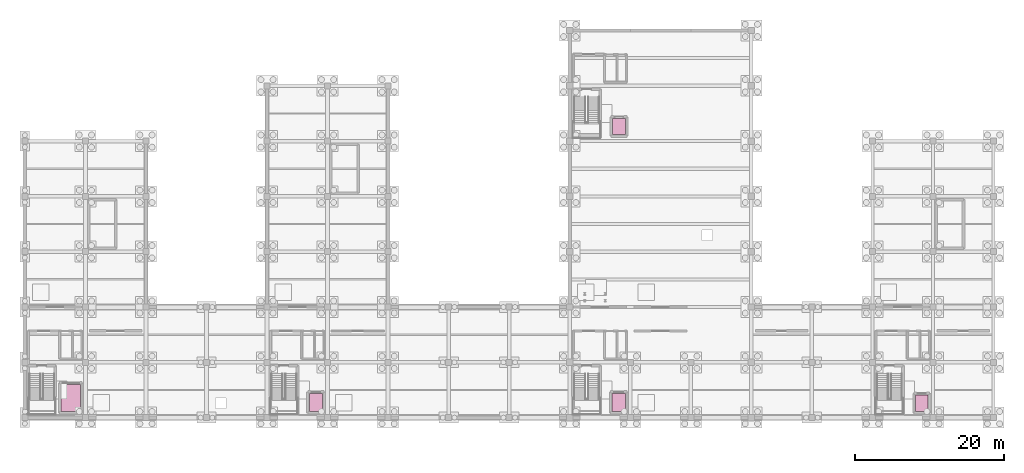
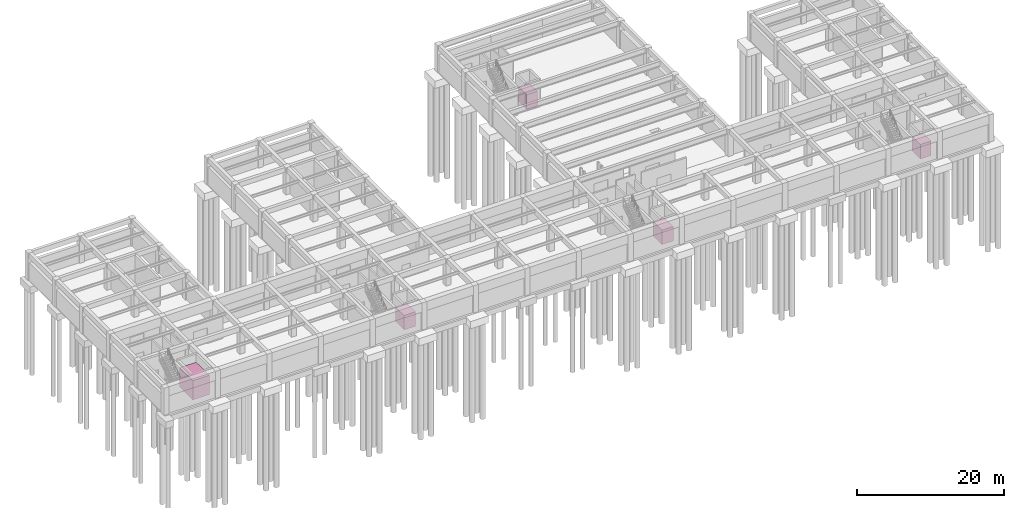
# One storey, part 14 of 14: 5 transport elements.
"""IFC4 building model written with IfcOpenShell, lengths in metres."""

from ifc_helpers import new_model, si_unit, direction, frame, origin, origin_2d, place, context, subcontext, project, spatial, rectangle, extrude, material, type_object, element, save


model = new_model("IFC4")

# Units and contexts
model_context = context("Model", 3, precision=1e-05, world=origin(), true_north=direction((0.0, 1.0)))
body_context = subcontext(model_context, "Body", "Model", "MODEL_VIEW")
ifc_project = project(units=[si_unit("LENGTHUNIT", "METRE"), si_unit("AREAUNIT", "SQUARE_METRE"), si_unit("VOLUMEUNIT", "CUBIC_METRE"), si_unit("PLANEANGLEUNIT", "RADIAN"), si_unit("MASSUNIT", "GRAM", prefix="KILO")], contexts=[model_context])

# Site, building, storey
site_placement = place(None, origin())
site = spatial("IfcSite", under=ifc_project, at=site_placement, CompositionType="ELEMENT")
building_placement = place(site_placement, origin())
building = spatial("IfcBuilding", under=site, at=building_placement, Name="Cimatlan Art Gallery", CompositionType="ELEMENT")
storey_placement = place(building_placement, frame((0.0, 0.0, -4.800048828125)))
storey = spatial("IfcBuildingStorey", under=building, at=storey_placement, Name="B1", CompositionType="ELEMENT", Elevation=-4.800048828125)

# Transport elements
ifc_material = material(Name="Brushed stainless steel and bronze lift car", Category="steel")
transport_element_type_1 = type_object("IfcTransportElementType", Name="LFT-FF-1800X2400", PredefinedType="ELEVATOR", material=ifc_material)
for number, where, z_axis, x_axis, name in (
    (1, (40.949951171875, 25.949951171875, 0.0), (0.0, 0.0, 1.0), (1.0, 0.0, 0.0), "Firefighting Lift West"),
    (2, (81.449951171875, 25.949951171875, 0.0), (0.0, 0.0, 1.0), (1.0, 0.0, 0.0), "Firefighting Lift Central"),
):
    element("IfcTransportElement", number, at=place(storey_placement, frame(where, z_axis=z_axis, x_axis=x_axis)), inside=storey, type_object=transport_element_type_1, Name=name, PredefinedType="ELEVATOR", context=body_context, shape_type="SweptSolid", body=[
        extrude(rectangle(XDim=1.800048828125, YDim=2.39990234375, at=origin_2d()), origin(), (0.0, 0.0, 1.0), 2.39990234375),
    ])
transport_element_type_2 = type_object("IfcTransportElementType", Name="LFT-GOODS-2600X3600", PredefinedType="ELEVATOR", material=ifc_material)
transport_element_placement = place(storey_placement, frame((8.14990234375, 26.550048828125, 0.0), z_axis=(0.0, 0.0, 1.0), x_axis=(1.0, 0.0, 0.0)))
element("IfcTransportElement", 3, at=transport_element_placement, inside=storey, type_object=transport_element_type_2, Name="Goods Lift", PredefinedType="ELEVATOR", context=body_context, shape_type="SweptSolid", body=[
    extrude(rectangle(XDim=2.60009765625, YDim=3.60009765625, at=origin_2d()), origin(), (0.0, 0.0, 1.0), 3.199951171875),
])
transport_element_type_3 = type_object("IfcTransportElementType", Name="LFT-PASS-1700X2200", PredefinedType="ELEVATOR", material=ifc_material)
for number, where, z_axis, x_axis, name in (
    (4, (122.0, 25.85009765625, 0.0), (0.0, 0.0, 1.0), (1.0, 0.0, 0.0), "Passenger Lift East"),
    (5, (81.5, 62.85009765625, 0.0), (0.0, 0.0, 1.0), (1.0, 0.0, 0.0), "Passenger Lift North Nave"),
):
    element("IfcTransportElement", number, at=place(storey_placement, frame(where, z_axis=z_axis, x_axis=x_axis)), inside=storey, type_object=transport_element_type_3, Name=name, PredefinedType="ELEVATOR", context=body_context, shape_type="SweptSolid", body=[
        extrude(rectangle(XDim=1.699951171875, YDim=2.199951171875, at=origin_2d()), origin(), (0.0, 0.0, 1.0), 2.39990234375),
    ])

save(model, "model.ifc")
